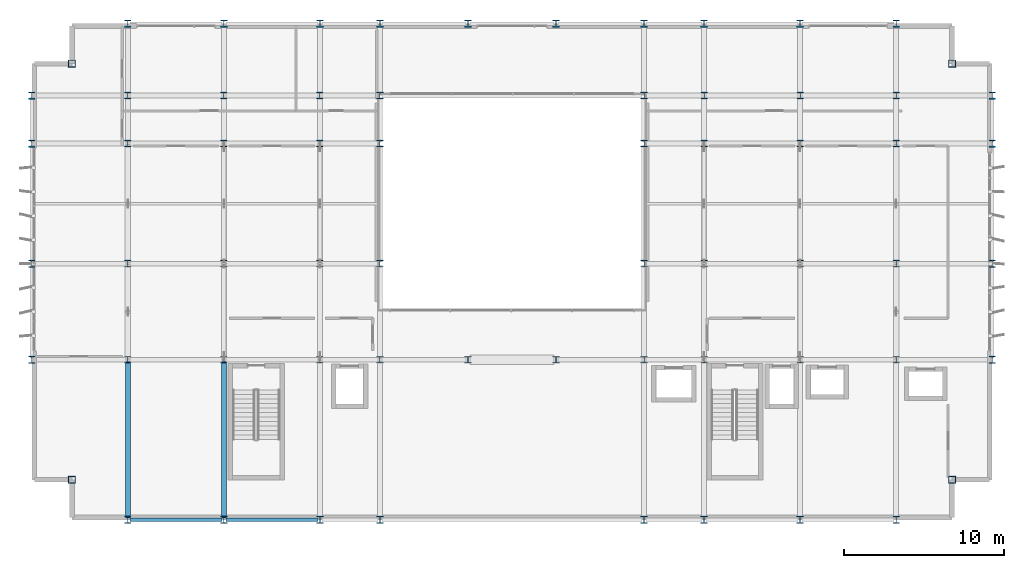
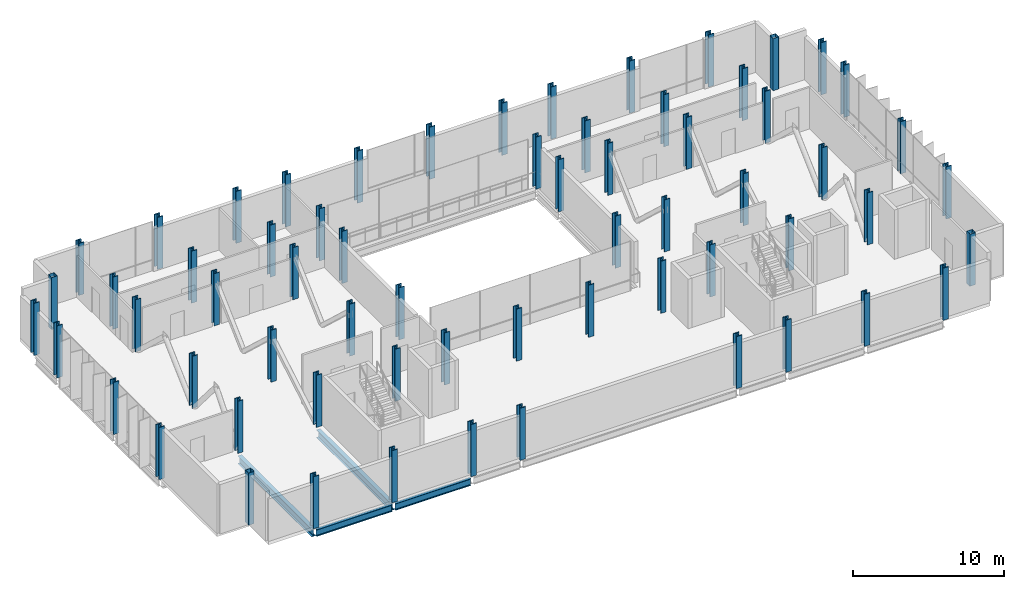
# One storey, part 1 of 32: 64 columns, 4 beams.
"""IFC4 building model written with IfcOpenShell, lengths in metres."""

from ifc_helpers import new_model, si_unit, direction, frame, origin, origin_2d, place, context, subcontext, project, spatial, hollow_rectangle, i_section, extrude, material, material_profile, profile_set, type_object, element, save


model = new_model("IFC4")

# Units and contexts
model_context = context("Model", 3, precision=1e-05, world=origin(), true_north=direction((0.0, 1.0)))
body_context = subcontext(model_context, "Body", "Model", "MODEL_VIEW")
ifc_project = project(units=[si_unit("LENGTHUNIT", "METRE"), si_unit("AREAUNIT", "SQUARE_METRE"), si_unit("VOLUMEUNIT", "CUBIC_METRE"), si_unit("PLANEANGLEUNIT", "RADIAN"), si_unit("MASSUNIT", "GRAM", prefix="KILO")], contexts=[model_context])

# Site, building, storey
site_placement = place(None, origin())
site = spatial("IfcSite", under=ifc_project, at=site_placement, CompositionType="ELEMENT")
building_placement = place(site_placement, origin())
building = spatial("IfcBuilding", under=site, at=building_placement, Name="Brevholm Reach", CompositionType="ELEMENT")
storey_placement = place(building_placement, frame((0.0, 0.0, 96.199951171875)))
storey = spatial("IfcBuildingStorey", under=building, at=storey_placement, Name="L28", CompositionType="ELEMENT", Elevation=96.199951171875)

# Columns
ifc_material_1 = material(Name="Structural Steel S460NH", Category="steel")
ifc_material_profile_1 = material_profile(ifc_material_1, hollow_rectangle(XDim=0.449951171875, YDim=0.449951171875, WallThickness=0.02490234375, InnerFilletRadius=0.011962890625, OuterFilletRadius=0.02392578125, at=origin_2d()), Name="SHS 450x450x25")
ifc_profile_set_1 = profile_set([ifc_material_profile_1], Name="Structural Steel S460NH")
column_type_1 = type_object("IfcColumnType", Name="COL-SHS1", PredefinedType="COLUMN", material=ifc_profile_set_1)
for number, where, z_axis, x_axis, name in (
    (1, (2.5, 2.5, 0.0), (0.0, 0.0, 1.0), (1.0, 0.0, 0.0), "L28 Column 05"),
    (2, (2.5, 28.5, 0.0), (0.0, 0.0, 1.0), (1.0, 0.0, 0.0), "L28 Column 06"),
    (3, (57.5, 2.5, 0.0), (0.0, 0.0, 1.0), (1.0, 0.0, 0.0), "L28 Column 59"),
    (4, (57.5, 28.5, 0.0), (0.0, 0.0, 1.0), (1.0, 0.0, 0.0), "L28 Column 60"),
):
    element("IfcColumn", number, at=place(storey_placement, frame(where, z_axis=z_axis, x_axis=x_axis)), inside=storey, type_object=column_type_1, Name=name, PredefinedType="COLUMN", context=body_context, shape_type="SweptSolid", body=[
        extrude(hollow_rectangle(XDim=0.449951171875, YDim=0.449951171875, WallThickness=0.02490234375, InnerFilletRadius=0.011962890625, OuterFilletRadius=0.02392578125, at=origin_2d()), origin(), (0.0, 0.0, 1.0), 4.199951171875),
    ])
ifc_material_2 = material(Name="Structural Steel S460ML", Category="steel")
ifc_material_profile_2 = material_profile(ifc_material_2, i_section(OverallWidth=0.41845703125, OverallDepth=0.45556640625, WebThickness=0.0419921875, FlangeThickness=0.0673828125, FilletRadius=0.01513671875, at=origin_2d()), Name="UKC 356x406x551")
ifc_profile_set_2 = profile_set([ifc_material_profile_2], Name="Structural Steel S460ML")
column_type_2 = type_object("IfcColumnType", Name="COL-UC2", PredefinedType="COLUMN", material=ifc_profile_set_2)
for number, where, z_axis, x_axis, name in (
    (5, (0.0, 10.0, 0.0), (0.0, 0.0, 1.0), (1.0, 0.0, 0.0), "L28 Column 01"),
    (6, (0.0, 16.0, 0.0), (0.0, 0.0, 1.0), (1.0, 0.0, 0.0), "L28 Column 02"),
    (7, (0.0, 23.5, 0.0), (0.0, 0.0, 1.0), (1.0, 0.0, 0.0), "L28 Column 03"),
    (8, (0.0, 26.5, 0.0), (0.0, 0.0, 1.0), (1.0, 0.0, 0.0), "L28 Column 04"),
    (9, (6.0, 0.0, 0.0), (0.0, 0.0, 1.0), (1.0, 0.0, 0.0), "L28 Column 07"),
    (10, (6.0, 31.0, 0.0), (0.0, 0.0, 1.0), (1.0, 0.0, 0.0), "L28 Column 12"),
    (11, (12.0, 0.0, 0.0), (0.0, 0.0, 1.0), (1.0, 0.0, 0.0), "L28 Column 13"),
    (12, (12.0, 31.0, 0.0), (0.0, 0.0, 1.0), (1.0, 0.0, 0.0), "L28 Column 18"),
    (13, (18.0, 0.0, 0.0), (0.0, 0.0, 1.0), (1.0, 0.0, 0.0), "L28 Column 19"),
    (14, (18.0, 31.0, 0.0), (0.0, 0.0, 1.0), (1.0, 0.0, 0.0), "L28 Column 24"),
    (15, (21.75, 0.0, 0.0), (0.0, 0.0, 1.0), (1.0, 0.0, 0.0), "L28 Column 25"),
    (16, (21.75, 31.0, 0.0), (0.0, 0.0, 1.0), (1.0, 0.0, 0.0), "L28 Column 30"),
    (17, (27.25, 31.0, 0.0), (0.0, 0.0, 1.0), (1.0, 0.0, 0.0), "L28 Column 32"),
    (18, (32.75, 31.0, 0.0), (0.0, 0.0, 1.0), (1.0, 0.0, 0.0), "L28 Column 34"),
    (19, (38.25, 0.0, 0.0), (0.0, 0.0, 1.0), (1.0, 0.0, 0.0), "L28 Column 35"),
    (20, (38.25, 31.0, 0.0), (0.0, 0.0, 1.0), (1.0, 0.0, 0.0), "L28 Column 40"),
    (21, (42.0, 0.0, 0.0), (0.0, 0.0, 1.0), (1.0, 0.0, 0.0), "L28 Column 41"),
    (22, (42.0, 31.0, 0.0), (0.0, 0.0, 1.0), (1.0, 0.0, 0.0), "L28 Column 46"),
    (23, (48.0, 0.0, 0.0), (0.0, 0.0, 1.0), (1.0, 0.0, 0.0), "L28 Column 47"),
    (24, (48.0, 31.0, 0.0), (0.0, 0.0, 1.0), (1.0, 0.0, 0.0), "L28 Column 52"),
    (25, (54.0, 0.0, 0.0), (0.0, 0.0, 1.0), (1.0, 0.0, 0.0), "L28 Column 53"),
    (26, (54.0, 31.0, 0.0), (0.0, 0.0, 1.0), (1.0, 0.0, 0.0), "L28 Column 58"),
    (27, (60.0, 10.0, 0.0), (0.0, 0.0, 1.0), (1.0, 0.0, 0.0), "L28 Column 61"),
    (28, (60.0, 16.0, 0.0), (0.0, 0.0, 1.0), (1.0, 0.0, 0.0), "L28 Column 62"),
    (29, (60.0, 23.5, 0.0), (0.0, 0.0, 1.0), (1.0, 0.0, 0.0), "L28 Column 63"),
    (30, (60.0, 26.5, 0.0), (0.0, 0.0, 1.0), (1.0, 0.0, 0.0), "L28 Column 64"),
):
    element("IfcColumn", number, at=place(storey_placement, frame(where, z_axis=z_axis, x_axis=x_axis)), inside=storey, type_object=column_type_2, Name=name, PredefinedType="COLUMN", context=body_context, shape_type="SweptSolid", body=[
        extrude(i_section(OverallWidth=0.41845703125, OverallDepth=0.45556640625, WebThickness=0.0419921875, FlangeThickness=0.0673828125, FilletRadius=0.01513671875, at=origin_2d()), origin(), (0.0, 0.0, 1.0), 4.199951171875),
    ])
ifc_material_3 = material(Name="Structural Steel S460ML", Category="steel")
ifc_material_profile_3 = material_profile(ifc_material_3, i_section(OverallWidth=0.412109375, OverallDepth=0.4365234375, WebThickness=0.035888671875, FlangeThickness=0.05810546875, FilletRadius=0.01513671875, at=origin_2d()), Name="UKC 356x406x467")
ifc_profile_set_3 = profile_set([ifc_material_profile_3], Name="Structural Steel S460ML")
column_type_3 = type_object("IfcColumnType", Name="COL-UC3", PredefinedType="COLUMN", material=ifc_profile_set_3)
for number, where, z_axis, x_axis, name in (
    (31, (6.0, 10.0, 0.0), (0.0, 0.0, 1.0), (1.0, 0.0, 0.0), "L28 Column 08"),
    (32, (6.0, 16.0, 0.0), (0.0, 0.0, 1.0), (1.0, 0.0, 0.0), "L28 Column 09"),
    (33, (6.0, 23.5, 0.0), (0.0, 0.0, 1.0), (1.0, 0.0, 0.0), "L28 Column 10"),
    (34, (6.0, 26.5, 0.0), (0.0, 0.0, 1.0), (1.0, 0.0, 0.0), "L28 Column 11"),
    (35, (12.0, 10.0, 0.0), (0.0, 0.0, 1.0), (1.0, 0.0, 0.0), "L28 Column 14"),
    (36, (12.0, 16.0, 0.0), (0.0, 0.0, 1.0), (1.0, 0.0, 0.0), "L28 Column 15"),
    (37, (12.0, 23.5, 0.0), (0.0, 0.0, 1.0), (1.0, 0.0, 0.0), "L28 Column 16"),
    (38, (12.0, 26.5, 0.0), (0.0, 0.0, 1.0), (1.0, 0.0, 0.0), "L28 Column 17"),
    (39, (18.0, 10.0, 0.0), (0.0, 0.0, 1.0), (1.0, 0.0, 0.0), "L28 Column 20"),
    (40, (18.0, 16.0, 0.0), (0.0, 0.0, 1.0), (1.0, 0.0, 0.0), "L28 Column 21"),
    (41, (18.0, 23.5, 0.0), (0.0, 0.0, 1.0), (1.0, 0.0, 0.0), "L28 Column 22"),
    (42, (18.0, 26.5, 0.0), (0.0, 0.0, 1.0), (1.0, 0.0, 0.0), "L28 Column 23"),
    (43, (21.75, 10.0, 0.0), (0.0, 0.0, 1.0), (1.0, 0.0, 0.0), "L28 Column 26"),
    (44, (21.75, 16.0, 0.0), (0.0, 0.0, 1.0), (1.0, 0.0, 0.0), "L28 Column 27"),
    (45, (21.75, 23.5, 0.0), (0.0, 0.0, 1.0), (1.0, 0.0, 0.0), "L28 Column 28"),
    (46, (21.75, 26.5, 0.0), (0.0, 0.0, 1.0), (1.0, 0.0, 0.0), "L28 Column 29"),
    (47, (27.25, 10.0, 0.0), (0.0, 0.0, 1.0), (1.0, 0.0, 0.0), "L28 Column 31"),
    (48, (32.75, 10.0, 0.0), (0.0, 0.0, 1.0), (1.0, 0.0, 0.0), "L28 Column 33"),
    (49, (38.25, 10.0, 0.0), (0.0, 0.0, 1.0), (1.0, 0.0, 0.0), "L28 Column 36"),
    (50, (38.25, 16.0, 0.0), (0.0, 0.0, 1.0), (1.0, 0.0, 0.0), "L28 Column 37"),
    (51, (38.25, 23.5, 0.0), (0.0, 0.0, 1.0), (1.0, 0.0, 0.0), "L28 Column 38"),
    (52, (38.25, 26.5, 0.0), (0.0, 0.0, 1.0), (1.0, 0.0, 0.0), "L28 Column 39"),
    (53, (42.0, 10.0, 0.0), (0.0, 0.0, 1.0), (1.0, 0.0, 0.0), "L28 Column 42"),
    (54, (42.0, 16.0, 0.0), (0.0, 0.0, 1.0), (1.0, 0.0, 0.0), "L28 Column 43"),
    (55, (42.0, 23.5, 0.0), (0.0, 0.0, 1.0), (1.0, 0.0, 0.0), "L28 Column 44"),
    (56, (42.0, 26.5, 0.0), (0.0, 0.0, 1.0), (1.0, 0.0, 0.0), "L28 Column 45"),
    (57, (48.0, 10.0, 0.0), (0.0, 0.0, 1.0), (1.0, 0.0, 0.0), "L28 Column 48"),
    (58, (48.0, 16.0, 0.0), (0.0, 0.0, 1.0), (1.0, 0.0, 0.0), "L28 Column 49"),
    (59, (48.0, 23.5, 0.0), (0.0, 0.0, 1.0), (1.0, 0.0, 0.0), "L28 Column 50"),
    (60, (48.0, 26.5, 0.0), (0.0, 0.0, 1.0), (1.0, 0.0, 0.0), "L28 Column 51"),
    (61, (54.0, 10.0, 0.0), (0.0, 0.0, 1.0), (1.0, 0.0, 0.0), "L28 Column 54"),
    (62, (54.0, 16.0, 0.0), (0.0, 0.0, 1.0), (1.0, 0.0, 0.0), "L28 Column 55"),
    (63, (54.0, 23.5, 0.0), (0.0, 0.0, 1.0), (1.0, 0.0, 0.0), "L28 Column 56"),
    (64, (54.0, 26.5, 0.0), (0.0, 0.0, 1.0), (1.0, 0.0, 0.0), "L28 Column 57"),
):
    element("IfcColumn", number, at=place(storey_placement, frame(where, z_axis=z_axis, x_axis=x_axis)), inside=storey, type_object=column_type_3, Name=name, PredefinedType="COLUMN", context=body_context, shape_type="SweptSolid", body=[
        extrude(i_section(OverallWidth=0.412109375, OverallDepth=0.4365234375, WebThickness=0.035888671875, FlangeThickness=0.05810546875, FilletRadius=0.01513671875, at=origin_2d()), origin(), (0.0, 0.0, 1.0), 4.199951171875),
    ])

# Beams
ifc_material_4 = material(Name="Structural Steel S355J2", Category="steel")
ifc_material_profile_4 = material_profile(ifc_material_4, i_section(OverallWidth=0.210693359375, OverallDepth=0.53955078125, WebThickness=0.01171875, FlangeThickness=0.018798828125, FilletRadius=0.0126953125, at=origin_2d()), Name="UKB 533x210x109")
ifc_profile_set_4 = profile_set([ifc_material_profile_4], Name="Structural Steel S355J2")
beam_type_1 = type_object("IfcBeamType", Name="BM-SP539", PredefinedType="SPANDREL", material=ifc_profile_set_4)
for number, where, z_axis, x_axis, name in (
    (65, (6.1201171875, 0.0, -0.52978515625), (1.0, 0.0, 0.0), (0.0, 1.0, 0.0), "L28 SP-01B Framing Beam"),
    (66, (12.1201171875, 0.0, -0.52978515625), (1.0, 0.0, 0.0), (0.0, 1.0, 0.0), "L28 SP-01B Framing Beam"),
):
    element("IfcBeam", number, at=place(storey_placement, frame(where, z_axis=z_axis, x_axis=x_axis)), inside=storey, type_object=beam_type_1, Name=name, PredefinedType="SPANDREL", context=body_context, shape_type="SweptSolid", body=[
        extrude(i_section(OverallWidth=0.210693359375, OverallDepth=0.53955078125, WebThickness=0.01171875, FlangeThickness=0.018798828125, FilletRadius=0.0126953125, at=origin_2d()), origin(), (0.0, 0.0, 1.0), 5.759765625),
    ])
ifc_material_5 = material(Name="Structural Steel S355J2", Category="steel")
ifc_material_profile_5 = material_profile(ifc_material_5, i_section(OverallWidth=0.30712890625, OverallDepth=0.6201171875, WebThickness=0.01416015625, FlangeThickness=0.023681640625, FilletRadius=0.0166015625, at=origin_2d()), Name="UKB 610x305x179")
ifc_profile_set_5 = profile_set([ifc_material_profile_5], Name="Structural Steel S355J2")
beam_type_2 = type_object("IfcBeamType", Name="BM-UKB610H", PredefinedType="USERDEFINED", material=ifc_profile_set_5)
for number, where, z_axis, x_axis, name in (
    (67, (6.0, 0.1201171875, -0.570068359375), (0.0, 1.0, 0.0), (-1.0, 0.0, 0.0), "L28 G-06 Framing Beam"),
    (68, (12.0, 0.1201171875, -0.570068359375), (0.0, 1.0, 0.0), (-1.0, 0.0, 0.0), "L28 G-06 Framing Beam"),
):
    element("IfcBeam", number, at=place(storey_placement, frame(where, z_axis=z_axis, x_axis=x_axis)), inside=storey, type_object=beam_type_2, Name=name, ObjectType="GIRDER", PredefinedType="USERDEFINED", context=body_context, shape_type="SweptSolid", body=[
        extrude(i_section(OverallWidth=0.30712890625, OverallDepth=0.6201171875, WebThickness=0.01416015625, FlangeThickness=0.023681640625, FilletRadius=0.0166015625, at=origin_2d()), origin(), (0.0, 0.0, 1.0), 9.759765625),
    ])

save(model, "model.ifc")
